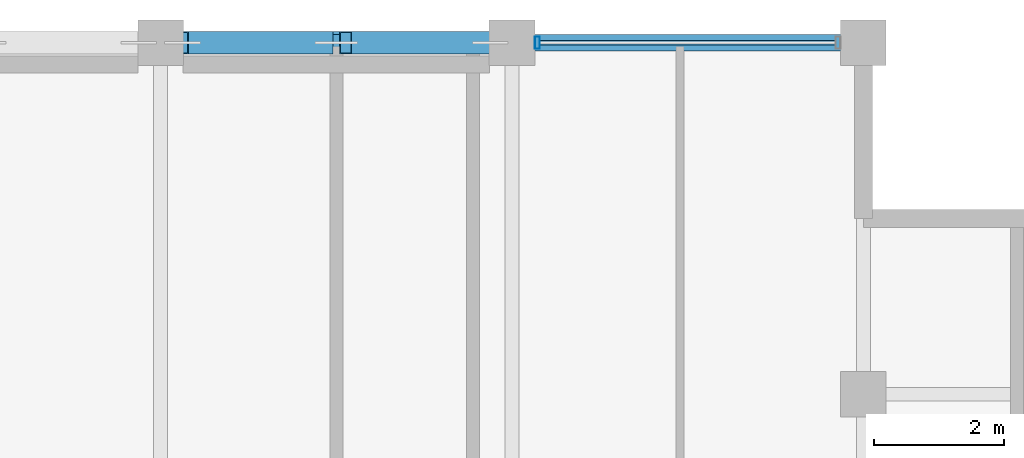
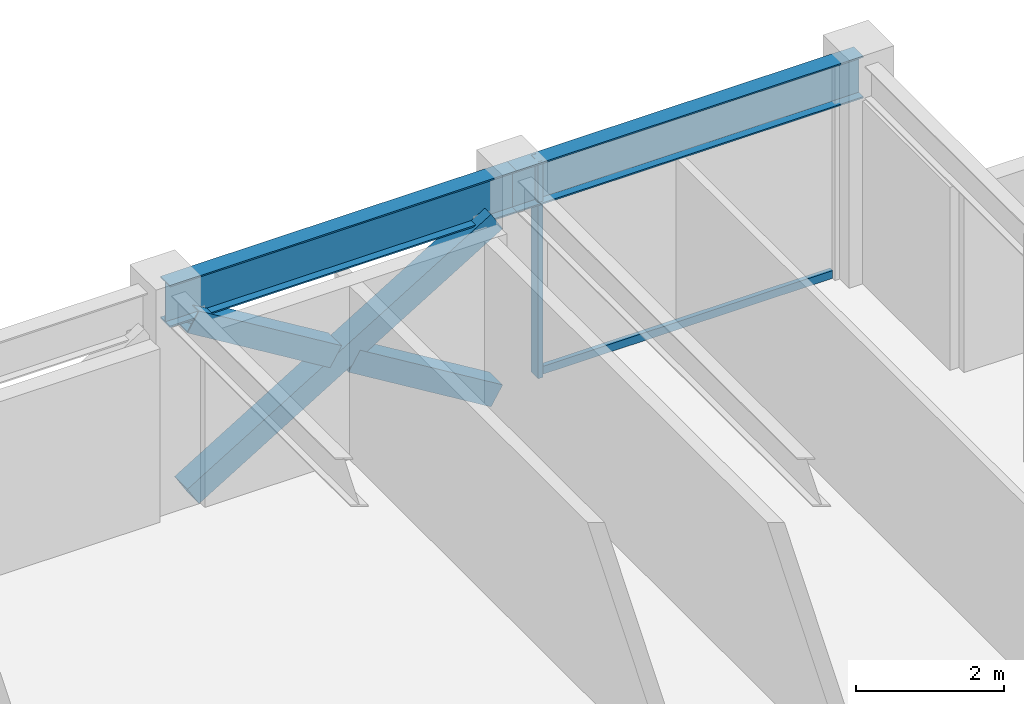
# One storey, part 20 of 31: 5 members, 2 beams, 1 element without a shape of its own.
"""IFC4 building model written with IfcOpenShell, lengths in metres."""

from ifc_helpers import new_model, si_unit, direction, frame, origin, origin_2d, place, context, subcontext, project, spatial, hollow_rectangle, i_section, extrude, material, layer, layer_set, material_profile, profile_set, type_object, element, aggregate, save


model = new_model("IFC4")

# Units and contexts
model_context = context("Model", 3, precision=1e-05, world=origin(), true_north=direction((0.0, 1.0)))
body_context = subcontext(model_context, "Body", "Model", "MODEL_VIEW")
ifc_project = project(units=[si_unit("LENGTHUNIT", "METRE"), si_unit("AREAUNIT", "SQUARE_METRE"), si_unit("VOLUMEUNIT", "CUBIC_METRE"), si_unit("PLANEANGLEUNIT", "RADIAN"), si_unit("MASSUNIT", "GRAM", prefix="KILO")], contexts=[model_context])

# Site, building, storey
site_placement = place(None, origin())
site = spatial("IfcSite", under=ifc_project, at=site_placement, CompositionType="ELEMENT")
building_placement = place(site_placement, origin())
building = spatial("IfcBuilding", under=site, at=building_placement, Name="Surkhivell Harbour Commons", CompositionType="ELEMENT")
storey_placement = place(building_placement, frame((0.0, 0.0, 322.5)))
storey = spatial("IfcBuildingStorey", under=building, at=storey_placement, Name="L84", CompositionType="ELEMENT", Elevation=322.5)

# Beams
ifc_material_1 = material(Name="Steel S355", Category="steel")
ifc_material_profile_1 = material_profile(ifc_material_1, i_section(OverallWidth=0.256103515625, OverallDepth=0.693115234375, WebThickness=0.014404296875, FlangeThickness=0.023681640625, at=origin_2d()), Name="UB686x254x170")
ifc_profile_set_1 = profile_set([ifc_material_profile_1], Name="Steel S355")
beam_type = type_object("IfcBeamType", Name="BM-SPN-686", PredefinedType="SPANDREL", material=ifc_profile_set_1)
beam_1_placement = place(storey_placement, frame((0.0, 25.89990234375, 3.223388671875), z_axis=(1.0, 0.0, 0.0), x_axis=(0.0, 1.0, 0.0)))
element("IfcBeam", 1, at=beam_1_placement, inside=storey, type_object=beam_type, Name="L84 Tube Spandrel (-0.0,25.9)", PredefinedType="SPANDREL", context=body_context, shape_type="SweptSolid", body=[
    extrude(i_section(OverallWidth=0.256103515625, OverallDepth=0.693115234375, WebThickness=0.014404296875, FlangeThickness=0.023681640625, at=origin_2d()), origin(), (0.0, 0.0, 1.0), 5.39990234375),
])
beam_2_placement = place(storey_placement, frame((5.39990234375, 25.89990234375, 3.223388671875), z_axis=(1.0, 0.0, 0.0), x_axis=(0.0, 1.0, 0.0)))
element("IfcBeam", 2, at=beam_2_placement, inside=storey, type_object=beam_type, Name="L84 Tube Spandrel (5.4,25.9)", PredefinedType="SPANDREL", context=body_context, shape_type="SweptSolid", body=[
    extrude(i_section(OverallWidth=0.256103515625, OverallDepth=0.693115234375, WebThickness=0.014404296875, FlangeThickness=0.023681640625, at=origin_2d()), origin(), (0.0, 0.0, 1.0), 5.400146484375),
])

# Curtain wall, members
ifc_material_2 = material(Name="Anodised pale-metal aluminium and insulated glazing", Category="aluminium")
ifc_layer = layer(ifc_material_2, 0.175048828125)
ifc_layer_set = layer_set([ifc_layer], Name="Anodised pale-metal aluminium and insulated glazing")
curtain_wall_type = type_object("IfcCurtainWallType", Name="CW-SYS-Z4", PredefinedType="NOTDEFINED", material=ifc_layer_set)
curtain_wall_placement = place(storey_placement, origin())
curtain_wall = element("IfcCurtainWall", 3, at=curtain_wall_placement, inside=storey, type_object=curtain_wall_type, Name="L84 Curtain Wall CW-L84-E07S1", PredefinedType="NOTDEFINED")
ifc_material_3 = material(Name="Anodised pale-metal aluminium alloy 6063-T6", Category="aluminium")
ifc_material_profile_2 = material_profile(ifc_material_3, hollow_rectangle(XDim=0.074951171875, YDim=0.18994140625, WallThickness=0.00390625, at=origin_2d()), Name="ALU-MULL-75x190")
ifc_profile_set_2 = profile_set([ifc_material_profile_2], Name="Anodised pale-metal aluminium alloy 6063-T6")
member_type_1 = type_object("IfcMemberType", Name="CWM-190", PredefinedType="MULLION", material=ifc_profile_set_2)
member_1_placement = place(storey_placement, frame((5.78955078125, 25.89990234375, 0.0), z_axis=(0.0, 0.0, 1.0), x_axis=(-1.0, 0.0, 0.0)))
member_1 = element("IfcMember", 4, at=member_1_placement, type_object=member_type_1, Name="CW-Z4 mullion 2", PredefinedType="MULLION", context=body_context, shape_type="SweptSolid", body=[
    extrude(hollow_rectangle(XDim=0.074951171875, YDim=0.18994140625, WallThickness=0.00390625, at=origin_2d()), origin(), (0.0, 0.0, 1.0), 3.570068359375),
])
ifc_material_4 = material(Name="Champagne anodised aluminium alloy 6063-T6", Category="aluminium")
ifc_material_profile_3 = material_profile(ifc_material_4, hollow_rectangle(XDim=0.070068359375, YDim=0.1298828125, WallThickness=0.00341796875, at=origin_2d()), Name="ALU-TRAN-70x130")
ifc_profile_set_3 = profile_set([ifc_material_profile_3], Name="Champagne anodised aluminium alloy 6063-T6")
member_type_2 = type_object("IfcMemberType", Name="CWT-130", PredefinedType="USERDEFINED", material=ifc_profile_set_3)
member_2_placement = place(storey_placement, frame((10.373046875, 25.89990234375, 0.06494140625), z_axis=(-1.0, 0.0, 0.0), x_axis=(0.0, -1.0, 0.0)))
member_2 = element("IfcMember", 5, at=member_2_placement, type_object=member_type_2, Name="CW-Z4 transom 1.1", ObjectType="TRANSOM", PredefinedType="USERDEFINED", context=body_context, shape_type="SweptSolid", body=[
    extrude(hollow_rectangle(XDim=0.070068359375, YDim=0.1298828125, WallThickness=0.00341796875, at=origin_2d()), origin(), (0.0, 0.0, 1.0), 4.546142578125),
])
aggregate(curtain_wall, [member_1, member_2])

# Members
ifc_material_profile_4 = material_profile(ifc_material_1, hollow_rectangle(XDim=0.35009765625, YDim=0.35009765625, WallThickness=0.01611328125, at=origin_2d()), Name="SHS350x350x16")
ifc_profile_set_4 = profile_set([ifc_material_profile_4], Name="Steel S355")
member_type_3 = type_object("IfcMemberType", Name="MEM-BRC-SHS350", PredefinedType="BRACE", material=ifc_profile_set_4)
member_3_placement = place(storey_placement, frame((0.3349609375, 25.89990234375, 0.008056640625), z_axis=(0.854685454322, 0.0, 0.519146197299), x_axis=(0.0, 1.0, 0.0)))
element("IfcMember", 6, at=member_3_placement, inside=storey, type_object=member_type_3, Name="L84 Perimeter Mega-Brace MB- 04", PredefinedType="BRACE", context=body_context, shape_type="SweptSolid", body=[
    extrude(hollow_rectangle(XDim=0.35009765625, YDim=0.35009765625, WallThickness=0.01611328125, at=origin_2d()), origin(), (0.0, 0.0, 1.0), 5.5341796875),
])
for number, where, z_axis, x_axis, name in (
    (7, (5.06494140625, 25.89990234375, 0.008056640625), (-0.854678858595, 0.0, 0.51915705588), (0.0, -1.0, 0.0), "L84 Perimeter Mega-Brace MB- 05"),
    (8, (2.556396484375, 25.89990234375, 1.53173828125), (-0.854678858595, 0.0, 0.51915705588), (0.0, -1.0, 0.0), "L84 Perimeter Mega-Brace MB- 06"),
):
    element("IfcMember", number, at=place(storey_placement, frame(where, z_axis=z_axis, x_axis=x_axis)), inside=storey, type_object=member_type_3, Name=name, PredefinedType="BRACE", context=body_context, shape_type="SweptSolid", body=[
        extrude(hollow_rectangle(XDim=0.35009765625, YDim=0.35009765625, WallThickness=0.01611328125, at=origin_2d()), origin(), (0.0, 0.0, 1.0), 2.59912109375),
    ])

save(model, "model.ifc")
